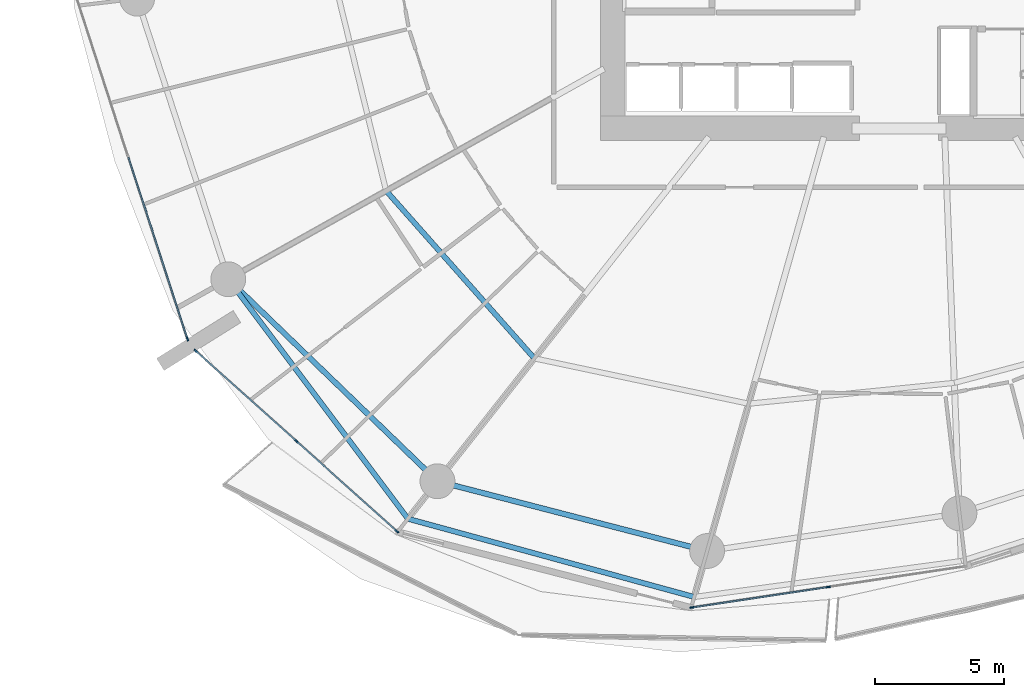
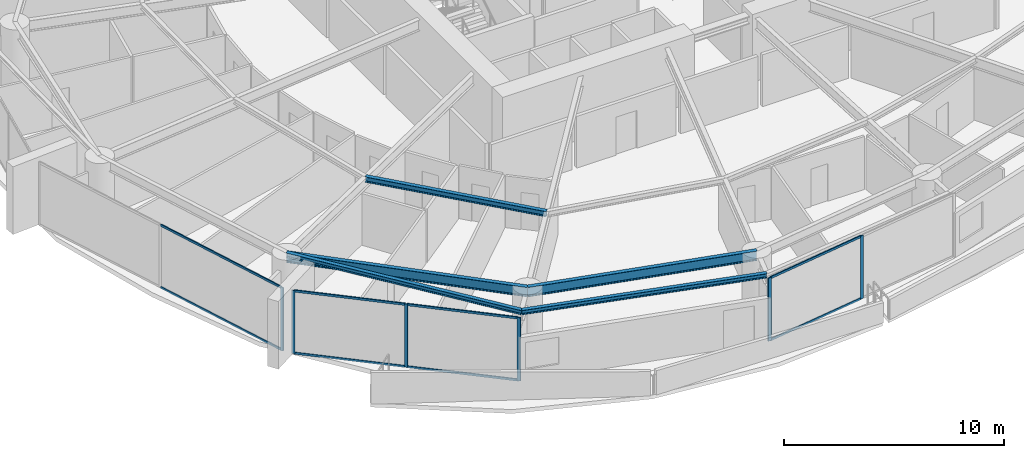
# One storey, part 6 of 32: 14 members, 5 beams, 3 elements without a shape of their own.
"""IFC4 building model written with IfcOpenShell, lengths in metres."""

from ifc_helpers import new_model, si_unit, direction, frame, origin, origin_2d, place, context, subcontext, project, spatial, rectangle, i_section, extrude, material, layer, layer_set, material_profile, profile_set, type_object, element, aggregate, save


model = new_model("IFC4")

# Units and contexts
model_context = context("Model", 3, precision=1e-05, world=origin(), true_north=direction((0.0, 1.0)))
body_context = subcontext(model_context, "Body", "Model", "MODEL_VIEW")
ifc_project = project(units=[si_unit("LENGTHUNIT", "METRE"), si_unit("AREAUNIT", "SQUARE_METRE"), si_unit("VOLUMEUNIT", "CUBIC_METRE"), si_unit("PLANEANGLEUNIT", "RADIAN"), si_unit("MASSUNIT", "GRAM", prefix="KILO")], contexts=[model_context])

# Site, building, storey
site_placement = place(None, origin())
site = spatial("IfcSite", under=ifc_project, at=site_placement, CompositionType="ELEMENT")
building_placement = place(site_placement, origin())
building = spatial("IfcBuilding", under=site, at=building_placement, Name="Kazma Halo Residences", CompositionType="ELEMENT")
storey_placement = place(building_placement, frame((0.0, 0.0, 63.89990234375)))
storey = spatial("IfcBuildingStorey", under=building, at=storey_placement, Name="L15", CompositionType="ELEMENT", Elevation=63.89990234375)

# Beams
ifc_material_1 = material(Name="Steel S355", Category="steel")
ifc_material_profile_1 = material_profile(ifc_material_1, i_section(OverallWidth=0.201904296875, OverallDepth=0.2470703125, WebThickness=0.00732421875, FlangeThickness=0.010986328125, FilletRadius=0.011962890625, at=origin_2d()), Name="W250x49.1")
ifc_profile_set_1 = profile_set([ifc_material_profile_1], Name="Steel S355")
beam_type_1 = type_object("IfcBeamType", Name="BM-BAL-CANT", PredefinedType="BEAM", material=ifc_profile_set_1)
beam_1_placement = place(storey_placement, frame((22.43505859375, 27.682861328125, 3.376708984375), z_axis=(0.600026935007, -0.799979798037, 0.0), x_axis=(0.799979798037, 0.600026935007, 0.0)))
element("IfcBeam", 1, at=beam_1_placement, inside=storey, type_object=beam_type_1, Name="L15 wave-balcony lead tie beam 09", PredefinedType="BEAM", context=body_context, shape_type="SweptSolid", body=[
    extrude(i_section(OverallWidth=0.201904296875, OverallDepth=0.2470703125, WebThickness=0.00732421875, FlangeThickness=0.010986328125, FilletRadius=0.011962890625, at=origin_2d()), origin(), (0.0, 0.0, 1.0), 11.601806640625),
])
beam_2_placement = place(storey_placement, frame((29.396484375, 18.401611328125, 3.376708984375), z_axis=(0.964628474934, -0.263613173697, 0.0), x_axis=(0.263613173697, 0.964628474934, 0.0)))
element("IfcBeam", 2, at=beam_2_placement, inside=storey, type_object=beam_type_1, Name="L15 wave-balcony tie beam 10", PredefinedType="BEAM", context=body_context, shape_type="SweptSolid", body=[
    extrude(i_section(OverallWidth=0.201904296875, OverallDepth=0.2470703125, WebThickness=0.00732421875, FlangeThickness=0.010986328125, FilletRadius=0.011962890625, at=origin_2d()), origin(), (0.0, 0.0, 1.0), 11.499755859375),
])
ifc_material_profile_2 = material_profile(ifc_material_1, i_section(OverallWidth=0.202880859375, OverallDepth=0.302978515625, WebThickness=0.007568359375, FlangeThickness=0.01318359375, FilletRadius=0.013916015625, at=origin_2d()), Name="W310x60")
ifc_profile_set_2 = profile_set([ifc_material_profile_2], Name="Steel S355")
beam_type_2 = type_object("IfcBeamType", Name="BM-SEC-W310A", PredefinedType="JOIST", material=ifc_profile_set_2)
beam_3_placement = place(storey_placement, frame((28.55224609375, 31.10888671875, 3.3486328125), z_axis=(0.662640120169, -0.748937962146, 0.0), x_axis=(0.748937962146, 0.662640120169, 0.0)))
element("IfcBeam", 3, at=beam_3_placement, inside=storey, type_object=beam_type_2, Name="L15 circumferential floor joist 09", PredefinedType="JOIST", context=body_context, shape_type="SweptSolid", body=[
    extrude(i_section(OverallWidth=0.202880859375, OverallDepth=0.302978515625, WebThickness=0.007568359375, FlangeThickness=0.01318359375, FilletRadius=0.013916015625, at=origin_2d()), origin(), (0.0, 0.0, 1.0), 8.668212890625),
])
ifc_material_profile_3 = material_profile(ifc_material_1, i_section(OverallWidth=0.208984375, OverallDepth=0.532958984375, WebThickness=0.01025390625, FlangeThickness=0.015625, FilletRadius=0.01611328125, at=origin_2d()), Name="W530x92")
ifc_profile_set_3 = profile_set([ifc_material_profile_3], Name="Steel S355")
beam_type_3 = type_object("IfcBeamType", Name="BM-SPN-W530", PredefinedType="BEAM", material=ifc_profile_set_3)
beam_4_placement = place(storey_placement, frame((22.43505859375, 27.682861328125, 3.233642578125), z_axis=(0.719336506967, -0.694661780829, 0.0), x_axis=(0.694661780829, 0.719336506967, 0.0)))
element("IfcBeam", 4, at=beam_4_placement, inside=storey, type_object=beam_type_3, Name="L15 perimeter ring beam 09", PredefinedType="BEAM", context=body_context, shape_type="SweptSolid", body=[
    extrude(i_section(OverallWidth=0.208984375, OverallDepth=0.532958984375, WebThickness=0.01025390625, FlangeThickness=0.015625, FilletRadius=0.01611328125, at=origin_2d()), origin(), (0.0, 0.0, 1.0), 11.269775390625),
])
beam_5_placement = place(storey_placement, frame((30.541748046875, 19.854248046875, 3.233642578125), z_axis=(0.968123558238, -0.250473104313, 0.0), x_axis=(0.250473104313, 0.968123558238, 0.0)))
element("IfcBeam", 5, at=beam_5_placement, inside=storey, type_object=beam_type_3, Name="L15 perimeter ring beam 10", PredefinedType="BEAM", context=body_context, shape_type="SweptSolid", body=[
    extrude(i_section(OverallWidth=0.208984375, OverallDepth=0.532958984375, WebThickness=0.01025390625, FlangeThickness=0.015625, FilletRadius=0.01611328125, at=origin_2d()), origin(), (0.0, 0.0, 1.0), 10.7939453125),
])

# Curtain wall, member
ifc_material_2 = material(Name="Aluminium AW-6063 T6 and Triple-Silver Low-E Glass", Category="aluminium")
ifc_layer = layer(ifc_material_2, 0.159912109375)
ifc_layer_set = layer_set([ifc_layer], Name="Aluminium AW-6063 T6 and Triple-Silver Low-E Glass")
curtain_wall_type = type_object("IfcCurtainWallType", Name="CW-SYS-2", PredefinedType="NOTDEFINED", material=ifc_layer_set)
curtain_wall_1_placement = place(storey_placement, origin())
curtain_wall_1 = element("IfcCurtainWall", 6, at=curtain_wall_1_placement, inside=storey, type_object=curtain_wall_type, Name="L15 unitised curtain wall B08", PredefinedType="NOTDEFINED")
ifc_material_3 = material(Name="Aluminium AW-6063 T6", Category="aluminium")
ifc_material_profile_4 = material_profile(ifc_material_3, rectangle(XDim=0.06005859375, YDim=0.159912109375, at=origin_2d()), Name="CWM-60x160")
ifc_profile_set_4 = profile_set([ifc_material_profile_4], Name="Aluminium AW-6063 T6")
member_type_1 = type_object("IfcMemberType", Name="CW-SYS-2-MUL", PredefinedType="MULLION", material=ifc_profile_set_4)
member_1_placement = place(storey_placement, frame((20.854248046875, 25.36669921875, 0.0), z_axis=(0.0, 0.0, 1.0), x_axis=(0.95105652404, 0.309016970539, 0.0)))
member_1 = element("IfcMember", 7, at=member_1_placement, type_object=member_type_1, Name="CWS-2 mullion 3", PredefinedType="MULLION", context=body_context, shape_type="SweptSolid", body=[
    extrude(rectangle(XDim=0.06005859375, YDim=0.159912109375, at=origin_2d()), origin(), (0.0, 0.0, 1.0), 3.5),
])

# Curtain wall, members
curtain_wall_2_placement = place(storey_placement, origin())
curtain_wall_2 = element("IfcCurtainWall", 8, at=curtain_wall_2_placement, inside=storey, type_object=curtain_wall_type, Name="L15 unitised curtain wall B09", PredefinedType="NOTDEFINED")
member_2_placement = place(storey_placement, frame((21.17333984375, 24.908203125, 0.0), z_axis=(0.0, 0.0, 1.0), x_axis=(0.667821453854, 0.744321506993, 0.0)))
member_2 = element("IfcMember", 9, at=member_2_placement, type_object=member_type_1, Name="CWS-2 mullion 1", PredefinedType="MULLION", context=body_context, shape_type="SweptSolid", body=[
    extrude(rectangle(XDim=0.06005859375, YDim=0.159912109375, at=origin_2d()), origin(), (0.0, 0.0, 1.0), 3.5),
])
member_3_placement = place(storey_placement, frame((25.07275390625, 21.409912109375, 0.0), z_axis=(0.0, 0.0, 1.0), x_axis=(0.667821453854, 0.744321506993, 0.0)))
member_3 = element("IfcMember", 10, at=member_3_placement, type_object=member_type_1, Name="CWS-2 mullion 2", PredefinedType="MULLION", context=body_context, shape_type="SweptSolid", body=[
    extrude(rectangle(XDim=0.06005859375, YDim=0.159912109375, at=origin_2d()), origin(), (0.0, 0.0, 1.0), 3.5),
])
member_4_placement = place(storey_placement, frame((28.971923828125, 17.911376953125, 0.0), z_axis=(0.0, 0.0, 1.0), x_axis=(0.667821453854, 0.744321506993, 0.0)))
member_4 = element("IfcMember", 11, at=member_4_placement, type_object=member_type_1, Name="CWS-2 mullion 3", PredefinedType="MULLION", context=body_context, shape_type="SweptSolid", body=[
    extrude(rectangle(XDim=0.06005859375, YDim=0.159912109375, at=origin_2d()), origin(), (0.0, 0.0, 1.0), 3.5),
])

curtain_wall_3_placement = place(storey_placement, origin())
curtain_wall_3 = element("IfcCurtainWall", 12, at=curtain_wall_3_placement, inside=storey, type_object=curtain_wall_type, Name="L15 unitised curtain wall B11", PredefinedType="NOTDEFINED")
member_5_placement = place(storey_placement, frame((40.403076171875, 14.962158203125, 0.0), z_axis=(0.0, 0.0, 1.0), x_axis=(-0.148657272805, 0.988888777994, 0.0)))
member_5 = element("IfcMember", 13, at=member_5_placement, type_object=member_type_1, Name="CWS-2 mullion 1", PredefinedType="MULLION", context=body_context, shape_type="SweptSolid", body=[
    extrude(rectangle(XDim=0.06005859375, YDim=0.159912109375, at=origin_2d()), origin(), (0.0, 0.0, 1.0), 3.5),
])
member_6_placement = place(storey_placement, frame((45.6923828125, 15.75732421875, 0.0), z_axis=(0.0, 0.0, 1.0), x_axis=(-0.148657272805, 0.988888777994, 0.0)))
member_6 = element("IfcMember", 14, at=member_6_placement, type_object=member_type_1, Name="CWS-2 mullion 2", PredefinedType="MULLION", context=body_context, shape_type="SweptSolid", body=[
    extrude(rectangle(XDim=0.06005859375, YDim=0.159912109375, at=origin_2d()), origin(), (0.0, 0.0, 1.0), 3.5),
])

# Member
ifc_material_profile_5 = material_profile(ifc_material_3, rectangle(XDim=0.06005859375, YDim=0.1201171875, at=origin_2d()), Name="CWT-60x120")
ifc_profile_set_5 = profile_set([ifc_material_profile_5], Name="Aluminium AW-6063 T6")
member_type_2 = type_object("IfcMemberType", Name="CW-SYS-2-TRN", PredefinedType="USERDEFINED", material=ifc_profile_set_5)
member_7_placement = place(storey_placement, frame((18.5673828125, 32.4052734375, 0.030029296875), z_axis=(0.309004433966, -0.951060597328, 0.0), x_axis=(0.951060597328, 0.309004433966, 0.0)))
member_7 = element("IfcMember", 15, at=member_7_placement, type_object=member_type_2, Name="CWS-2 transom 2.1", ObjectType="TRANSOM", PredefinedType="USERDEFINED", context=body_context, shape_type="SweptSolid", body=[
    extrude(rectangle(XDim=0.06005859375, YDim=0.1201171875, at=origin_2d()), origin(), (0.0, 0.0, 1.0), 7.370849609375),
])

member_8_placement = place(storey_placement, frame((18.5673828125, 32.4052734375, 3.47021484375), z_axis=(0.309004433966, -0.951060597328, 0.0), x_axis=(0.951060597328, 0.309004433966, 0.0)))
member_8 = element("IfcMember", 16, at=member_8_placement, type_object=member_type_2, Name="CWS-2 transom 2.2", ObjectType="TRANSOM", PredefinedType="USERDEFINED", context=body_context, shape_type="SweptSolid", body=[
    extrude(rectangle(XDim=0.06005859375, YDim=0.1201171875, at=origin_2d()), origin(), (0.0, 0.0, 1.0), 7.370849609375),
])

aggregate(curtain_wall_1, [member_1, member_7, member_8])

member_9_placement = place(storey_placement, frame((21.19580078125, 24.88818359375, 0.030029296875), z_axis=(0.744329408538, -0.66781264707, 0.0), x_axis=(0.66781264707, 0.744329408538, 0.0)))
member_9 = element("IfcMember", 17, at=member_9_placement, type_object=member_type_2, Name="CWS-2 transom 1.1", ObjectType="TRANSOM", PredefinedType="USERDEFINED", context=body_context, shape_type="SweptSolid", body=[
    extrude(rectangle(XDim=0.06005859375, YDim=0.1201171875, at=origin_2d()), origin(), (0.0, 0.0, 1.0), 5.178466796875),
])

member_10_placement = place(storey_placement, frame((21.19580078125, 24.88818359375, 3.47021484375), z_axis=(0.744329408538, -0.66781264707, 0.0), x_axis=(0.66781264707, 0.744329408538, 0.0)))
member_10 = element("IfcMember", 18, at=member_10_placement, type_object=member_type_2, Name="CWS-2 transom 1.2", ObjectType="TRANSOM", PredefinedType="USERDEFINED", context=body_context, shape_type="SweptSolid", body=[
    extrude(rectangle(XDim=0.06005859375, YDim=0.1201171875, at=origin_2d()), origin(), (0.0, 0.0, 1.0), 5.178466796875),
])

member_11_placement = place(storey_placement, frame((25.094970703125, 21.3896484375, 0.030029296875), z_axis=(0.744329408538, -0.66781264707, 0.0), x_axis=(0.66781264707, 0.744329408538, 0.0)))
member_11 = element("IfcMember", 19, at=member_11_placement, type_object=member_type_2, Name="CWS-2 transom 2.1", ObjectType="TRANSOM", PredefinedType="USERDEFINED", context=body_context, shape_type="SweptSolid", body=[
    extrude(rectangle(XDim=0.06005859375, YDim=0.1201171875, at=origin_2d()), origin(), (0.0, 0.0, 1.0), 5.178466796875),
])

member_12_placement = place(storey_placement, frame((25.094970703125, 21.3896484375, 3.47021484375), z_axis=(0.744329408538, -0.66781264707, 0.0), x_axis=(0.66781264707, 0.744329408538, 0.0)))
member_12 = element("IfcMember", 20, at=member_12_placement, type_object=member_type_2, Name="CWS-2 transom 2.2", ObjectType="TRANSOM", PredefinedType="USERDEFINED", context=body_context, shape_type="SweptSolid", body=[
    extrude(rectangle(XDim=0.06005859375, YDim=0.1201171875, at=origin_2d()), origin(), (0.0, 0.0, 1.0), 5.178466796875),
])

aggregate(curtain_wall_2, [member_2, member_3, member_4, member_9, member_10, member_11, member_12])

member_13_placement = place(storey_placement, frame((40.4326171875, 14.966796875, 0.030029296875), z_axis=(0.988890934274, 0.148642928222, 0.0), x_axis=(-0.148642928222, 0.988890934274, 0.0)))
member_13 = element("IfcMember", 21, at=member_13_placement, type_object=member_type_2, Name="CWS-2 transom 1.1", ObjectType="TRANSOM", PredefinedType="USERDEFINED", context=body_context, shape_type="SweptSolid", body=[
    extrude(rectangle(XDim=0.06005859375, YDim=0.1201171875, at=origin_2d()), origin(), (0.0, 0.0, 1.0), 5.288818359375),
])

member_14_placement = place(storey_placement, frame((40.4326171875, 14.966796875, 3.47021484375), z_axis=(0.988890934274, 0.148642928222, 0.0), x_axis=(-0.148642928222, 0.988890934274, 0.0)))
member_14 = element("IfcMember", 22, at=member_14_placement, type_object=member_type_2, Name="CWS-2 transom 1.2", ObjectType="TRANSOM", PredefinedType="USERDEFINED", context=body_context, shape_type="SweptSolid", body=[
    extrude(rectangle(XDim=0.06005859375, YDim=0.1201171875, at=origin_2d()), origin(), (0.0, 0.0, 1.0), 5.288818359375),
])

aggregate(curtain_wall_3, [member_5, member_6, member_13, member_14])

save(model, "model.ifc")
